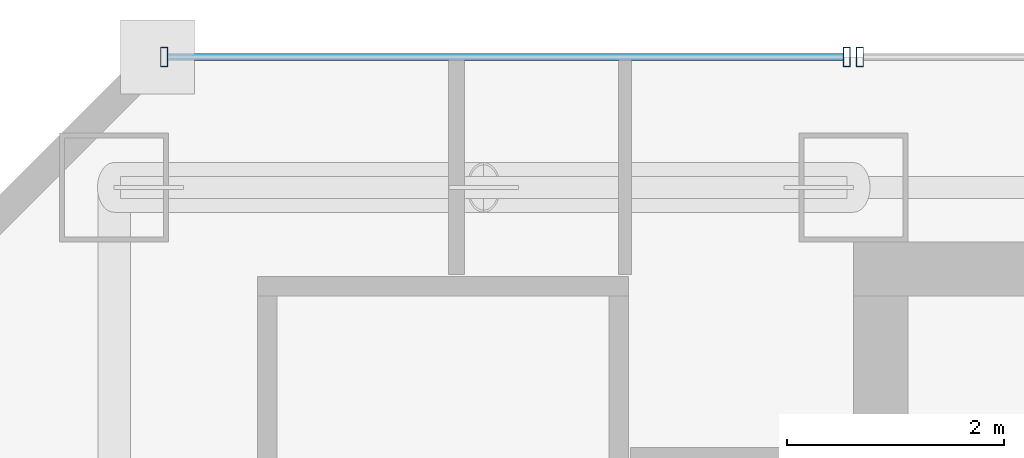
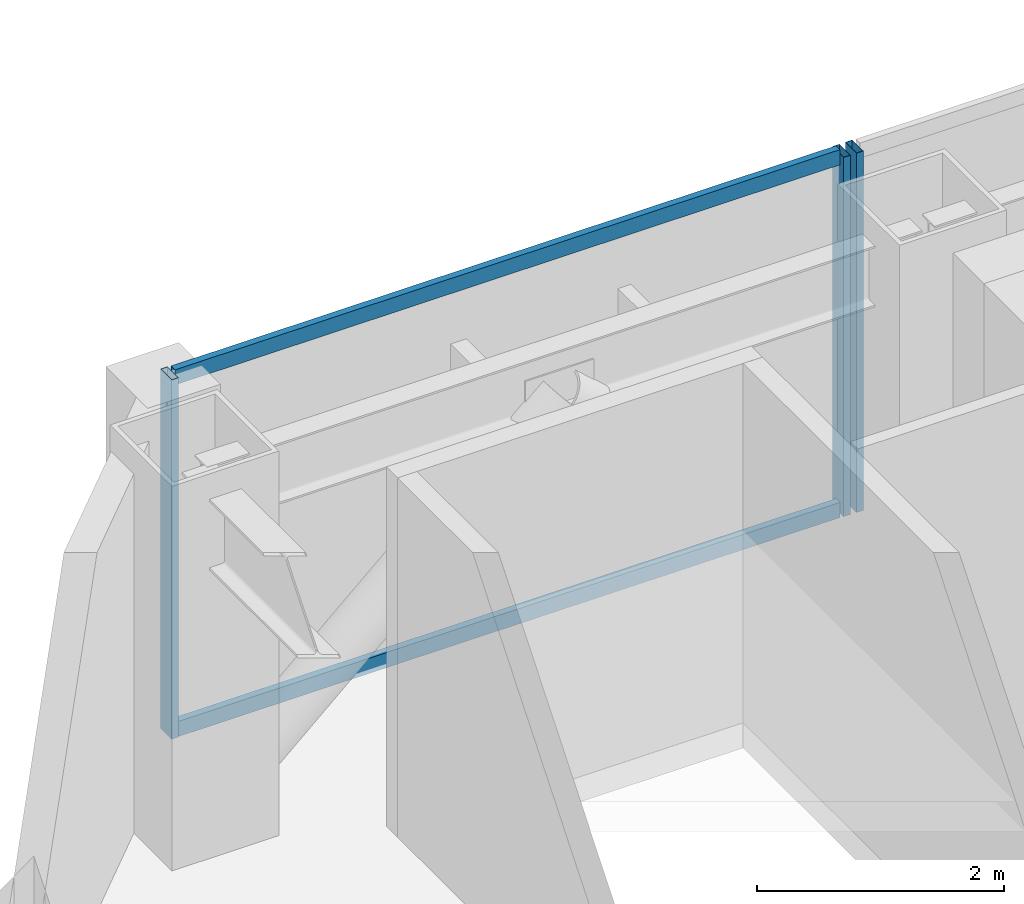
# One storey, part 22 of 37: 5 members, 2 elements without a shape of their own.
"""IFC4 building model written with IfcOpenShell, lengths in metres."""

from ifc_helpers import new_model, si_unit, direction, frame, origin, origin_2d, place, context, subcontext, project, spatial, hollow_rectangle, extrude, material, material_profile, profile_set, type_object, element, aggregate, save


model = new_model("IFC4")

# Units and contexts
model_context = context("Model", 3, precision=1e-05, world=origin(), true_north=direction((0.0, 1.0)))
body_context = subcontext(model_context, "Body", "Model", "MODEL_VIEW")
ifc_project = project(units=[si_unit("LENGTHUNIT", "METRE"), si_unit("AREAUNIT", "SQUARE_METRE"), si_unit("VOLUMEUNIT", "CUBIC_METRE"), si_unit("PLANEANGLEUNIT", "RADIAN"), si_unit("MASSUNIT", "GRAM", prefix="KILO")], contexts=[model_context])

# Site, building, storey
site_placement = place(None, origin())
site = spatial("IfcSite", under=ifc_project, at=site_placement, CompositionType="ELEMENT")
building_placement = place(site_placement, origin())
building = spatial("IfcBuilding", under=site, at=building_placement, Name="Saevonmaru Cultural Tower", CompositionType="ELEMENT")
storey_placement = place(building_placement, frame((0.0, 0.0, 141.0)))
storey = spatial("IfcBuildingStorey", under=building, at=storey_placement, Name="L30", CompositionType="ELEMENT", Elevation=141.0)

# Curtain wall, member
ifc_material = material(Name="Satin Bronze Anodised Aluminium", Category="aluminium")
curtain_wall_type = type_object("IfcCurtainWallType", Name="CW-TYP-A", PredefinedType="NOTDEFINED", material=ifc_material)
curtain_wall_1_placement = place(storey_placement, origin())
curtain_wall_1 = element("IfcCurtainWall", 1, at=curtain_wall_1_placement, inside=storey, type_object=curtain_wall_type, Name="L30 North Spine Unitised Curtain Wall E10B", PredefinedType="NOTDEFINED")
ifc_material_profile_1 = material_profile(ifc_material, hollow_rectangle(XDim=0.06494140625, YDim=0.179931640625, WallThickness=0.00390625, at=origin_2d()), Name="ALU-MULL-180x65x4")
ifc_profile_set_1 = profile_set([ifc_material_profile_1], Name="Satin Bronze Anodised Aluminium")
member_type_1 = type_object("IfcMemberType", Name="ML-CW-180x65", PredefinedType="MULLION", material=ifc_profile_set_1)
member_1_placement = place(storey_placement, frame((13.659912109375, 56.0, 0.0), z_axis=(0.0, 0.0, 1.0), x_axis=(-1.0, 0.0, 0.0)))
member_1 = element("IfcMember", 2, at=member_1_placement, type_object=member_type_1, Name="CW-TW-L30-E10B mullion 4", PredefinedType="MULLION", context=body_context, shape_type="SweptSolid", body=[
    extrude(hollow_rectangle(XDim=0.06494140625, YDim=0.179931640625, WallThickness=0.00390625, at=origin_2d()), origin(), (0.0, 0.0, 1.0), 3.550048828125),
])
aggregate(curtain_wall_1, [member_1])

# Curtain wall, members
curtain_wall_2_placement = place(storey_placement, origin())
curtain_wall_2 = element("IfcCurtainWall", 3, at=curtain_wall_2_placement, inside=storey, type_object=curtain_wall_type, Name="L30 West Braced Bay Spandrel Curtain Wall E10C", PredefinedType="NOTDEFINED")
member_2_placement = place(storey_placement, frame((13.5400390625, 56.0, 0.0), z_axis=(0.0, 0.0, 1.0), x_axis=(-1.0, 0.0, 0.0)))
member_2 = element("IfcMember", 4, at=member_2_placement, type_object=member_type_1, Name="CW-TW-L30-E10C mullion 1", PredefinedType="MULLION", context=body_context, shape_type="SweptSolid", body=[
    extrude(hollow_rectangle(XDim=0.06494140625, YDim=0.179931640625, WallThickness=0.00390625, at=origin_2d()), origin(), (0.0, 0.0, 1.0), 3.550048828125),
])
member_3_placement = place(storey_placement, frame((7.260009765625, 56.0, 0.0), z_axis=(0.0, 0.0, 1.0), x_axis=(-1.0, 0.0, 0.0)))
member_3 = element("IfcMember", 5, at=member_3_placement, type_object=member_type_1, Name="CW-TW-L30-E10C mullion 2", PredefinedType="MULLION", context=body_context, shape_type="SweptSolid", body=[
    extrude(hollow_rectangle(XDim=0.06494140625, YDim=0.179931640625, WallThickness=0.00390625, at=origin_2d()), origin(), (0.0, 0.0, 1.0), 3.550048828125),
])
ifc_material_profile_2 = material_profile(ifc_material, hollow_rectangle(XDim=0.06494140625, YDim=0.14990234375, WallThickness=0.00390625, at=origin_2d()), Name="ALU-TRAN-150x65x4")
ifc_profile_set_2 = profile_set([ifc_material_profile_2], Name="Satin Bronze Anodised Aluminium")
member_type_2 = type_object("IfcMemberType", Name="TR-CW-150x65", PredefinedType="USERDEFINED", material=ifc_profile_set_2)
member_4_placement = place(storey_placement, frame((13.507568359375, 56.0, 0.032470703125), z_axis=(-1.0, 0.0, 0.0), x_axis=(0.0, -1.0, 0.0)))
member_4 = element("IfcMember", 6, at=member_4_placement, type_object=member_type_2, Name="CW-TW-L30-E10C transom 1.1", ObjectType="TRANSOM", PredefinedType="USERDEFINED", context=body_context, shape_type="SweptSolid", body=[
    extrude(hollow_rectangle(XDim=0.06494140625, YDim=0.14990234375, WallThickness=0.00390625, at=origin_2d()), origin(), (0.0, 0.0, 1.0), 6.215087890625),
])
member_5_placement = place(storey_placement, frame((13.507568359375, 56.0, 3.517578125), z_axis=(-1.0, 0.0, 0.0), x_axis=(0.0, -1.0, 0.0)))
member_5 = element("IfcMember", 7, at=member_5_placement, type_object=member_type_2, Name="CW-TW-L30-E10C transom 1.2", ObjectType="TRANSOM", PredefinedType="USERDEFINED", context=body_context, shape_type="SweptSolid", body=[
    extrude(hollow_rectangle(XDim=0.06494140625, YDim=0.14990234375, WallThickness=0.00390625, at=origin_2d()), origin(), (0.0, 0.0, 1.0), 6.215087890625),
])
aggregate(curtain_wall_2, [member_2, member_3, member_4, member_5])

save(model, "model.ifc")
